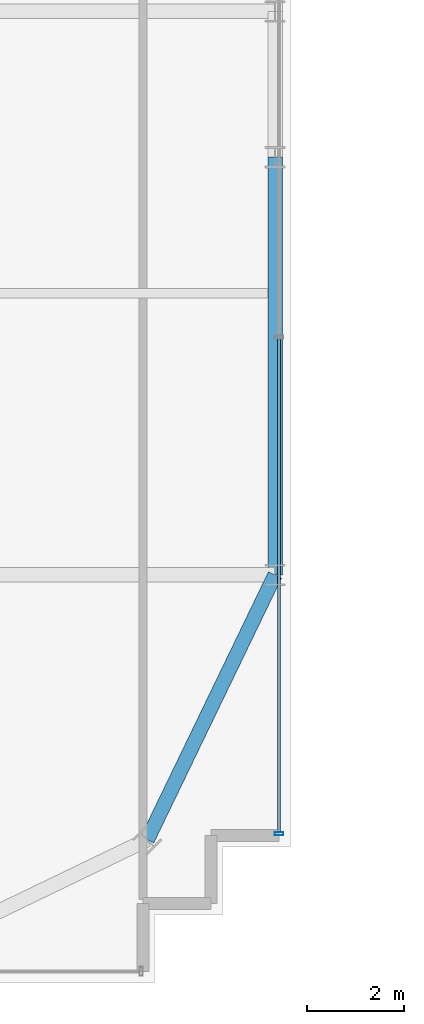
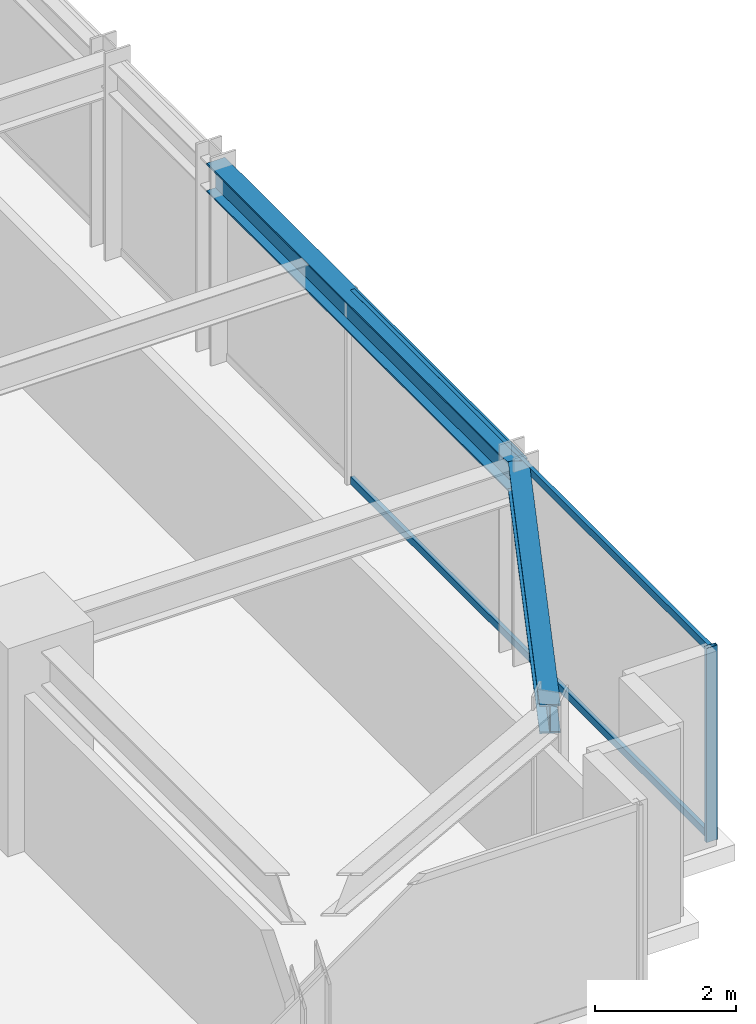
# One storey, part 14 of 36: 3 members, 2 beams, 1 element without a shape of its own.
"""IFC4 building model written with IfcOpenShell, lengths in metres."""

from ifc_helpers import new_model, si_unit, direction, frame, origin, origin_2d, place, context, subcontext, project, spatial, hollow_rectangle, i_section, extrude, source, transform, mapped, material, material_profile, profile_set, type_object, element, aggregate, save


model = new_model("IFC4")

# Units and contexts
model_context = context("Model", 3, precision=1e-05, world=origin(), true_north=direction((0.0, 1.0)))
body_context = subcontext(model_context, "Body", "Model", "MODEL_VIEW")
ifc_project = project(units=[si_unit("LENGTHUNIT", "METRE"), si_unit("AREAUNIT", "SQUARE_METRE"), si_unit("VOLUMEUNIT", "CUBIC_METRE"), si_unit("PLANEANGLEUNIT", "RADIAN"), si_unit("MASSUNIT", "GRAM", prefix="KILO")], contexts=[model_context])

# Site, building, storey
site_placement = place(None, origin())
site = spatial("IfcSite", under=ifc_project, at=site_placement, CompositionType="ELEMENT")
building_placement = place(site_placement, origin())
building = spatial("IfcBuilding", under=site, at=building_placement, Name="Nahalor Promenade Grand Hotel", CompositionType="ELEMENT")
storey_placement = place(building_placement, frame((0.0, 0.0, 72.550048828125)))
storey = spatial("IfcBuildingStorey", under=building, at=storey_placement, Name="L17", CompositionType="ELEMENT", Elevation=72.550048828125)

# Beams
ifc_material_1 = material(Name="Steel S355JR", Category="steel")
ifc_material_profile_1 = material_profile(ifc_material_1, i_section(OverallWidth=0.3, OverallDepth=0.5, WebThickness=0.0145, FlangeThickness=0.028, at=origin_2d()), Name="HEB 500")
ifc_profile_set_1 = profile_set([ifc_material_profile_1], Name="Steel S355JR")
beam_type = type_object("IfcBeamType", Name="Beam-Spandrel-HEB500", PredefinedType="SPANDREL", material=ifc_profile_set_1)
shared_shape_1 = source(origin(), body_context, "Body", "SweptSolid", [
    extrude(i_section(OverallWidth=0.3, OverallDepth=0.5, WebThickness=0.0145, FlangeThickness=0.028, at=origin_2d()), origin(), (0.0, 0.0, 1.0), 8.60009765625),
])
beam_1_placement = place(storey_placement, frame((25.080078125, -17.0, 3.119873046875), z_axis=(0.0, 1.0, 0.0), x_axis=(-1.0, 0.0, 0.0)))
element("IfcBeam", 1, at=beam_1_placement, inside=storey, type_object=beam_type, Name="BM-L17-SP-E-0", PredefinedType="SPANDREL", context=body_context, shape_type="MappedRepresentation", body=[
    mapped(shared_shape_1, transform((0.0, 0.0, 0.0), scale=1.0)),
])
shared_shape_2 = source(origin(), body_context, "Body", "SweptSolid", [
    extrude(i_section(OverallWidth=0.3, OverallDepth=0.5, WebThickness=0.0145, FlangeThickness=0.028, at=origin_2d()), origin(), (0.0, 0.0, 1.0), 6.051513671875),
])
beam_2_placement = place(storey_placement, frame((22.449951171875, -22.449951171875, 3.119873046875), z_axis=(0.434630596492, 0.900608818852, 0.0), x_axis=(-0.900608818852, 0.434630596492, 0.0)))
element("IfcBeam", 2, at=beam_2_placement, inside=storey, type_object=beam_type, Name="BM-L17-SPC-SE-2", PredefinedType="SPANDREL", context=body_context, shape_type="MappedRepresentation", body=[
    mapped(shared_shape_2, transform((0.0, 0.0, 0.0), scale=1.0)),
])

# Curtain wall, members
ifc_material_2 = material(Name="Anodised Bronze Aluminium EN AW-6063 T6", Category="aluminium")
curtain_wall_type = type_object("IfcCurtainWallType", Name="CW2 Typical Hotel Flush Bronze Unitised Curtain Wall", PredefinedType="USERDEFINED", material=ifc_material_2)
curtain_wall_placement = place(storey_placement, origin())
curtain_wall = element("IfcCurtainWall", 3, at=curtain_wall_placement, inside=storey, type_object=curtain_wall_type, Name="L17 Curtain Wall CW-L17-E-1", ObjectType="UNITISED_CURTAIN_WALL", PredefinedType="USERDEFINED")
ifc_material_profile_2 = material_profile(ifc_material_2, hollow_rectangle(XDim=0.065, YDim=0.13, WallThickness=0.004, at=origin_2d()), Name="CWT 65x130x4")
ifc_profile_set_2 = profile_set([ifc_material_profile_2], Name="Anodised Bronze Aluminium EN AW-6063 T6")
member_type_1 = type_object("IfcMemberType", Name="CWT2 Typical Bronze Transom 65x130", PredefinedType="USERDEFINED", material=ifc_profile_set_2)
shared_shape_3 = source(origin(), body_context, "Body", "SweptSolid", [
    extrude(hollow_rectangle(XDim=0.065, YDim=0.13, WallThickness=0.004, at=origin_2d()), origin(), (0.0, 0.0, 1.0), 10.15576171875),
])
member_1_placement = place(storey_placement, frame((25.159912109375, -22.294921875, 0.06494140625), z_axis=(0.0, 1.0, 0.0), x_axis=(-1.0, 0.0, 0.0)))
member_1 = element("IfcMember", 4, at=member_1_placement, type_object=member_type_1, Name="CW-L17-E-1 Transom 0-0", ObjectType="TRANSOM", PredefinedType="USERDEFINED", context=body_context, shape_type="MappedRepresentation", body=[
    mapped(shared_shape_3, transform((0.0, 0.0, 0.0), scale=1.0)),
])
member_2_placement = place(storey_placement, frame((25.159912109375, -22.294921875, 3.304931640625), z_axis=(0.0, 1.0, 0.0), x_axis=(-1.0, 0.0, 0.0)))
member_2 = element("IfcMember", 5, at=member_2_placement, type_object=member_type_1, Name="CW-L17-E-1 Transom 0-1", ObjectType="TRANSOM", PredefinedType="USERDEFINED", context=body_context, shape_type="MappedRepresentation", body=[
    mapped(shared_shape_3, transform((0.0, 0.0, 0.0), scale=1.0)),
])
ifc_material_profile_3 = material_profile(ifc_material_2, hollow_rectangle(XDim=0.065, YDim=0.18, WallThickness=0.004, at=origin_2d()), Name="CWM 65x180x4")
ifc_profile_set_3 = profile_set([ifc_material_profile_3], Name="Anodised Bronze Aluminium EN AW-6063 T6")
member_type_2 = type_object("IfcMemberType", Name="CWM2 Typical Bronze Mullion 65x180", PredefinedType="MULLION", material=ifc_profile_set_3)
shared_shape_4 = source(origin(), body_context, "Body", "SweptSolid", [
    extrude(hollow_rectangle(XDim=0.065, YDim=0.18, WallThickness=0.004, at=origin_2d()), origin(), (0.0, 0.0, 1.0), 3.369873046875),
])
member_3_placement = place(storey_placement, frame((25.159912109375, -22.327392578125, 0.0), z_axis=(0.0, 0.0, 1.0), x_axis=(0.0, 1.0, 0.0)))
member_3 = element("IfcMember", 6, at=member_3_placement, type_object=member_type_2, Name="CW-L17-E-1 Mullion 0", PredefinedType="MULLION", context=body_context, shape_type="MappedRepresentation", body=[
    mapped(shared_shape_4, transform((0.0, 0.0, 0.0), scale=1.0)),
])
aggregate(curtain_wall, [member_3, member_1, member_2])

save(model, "model.ifc")
